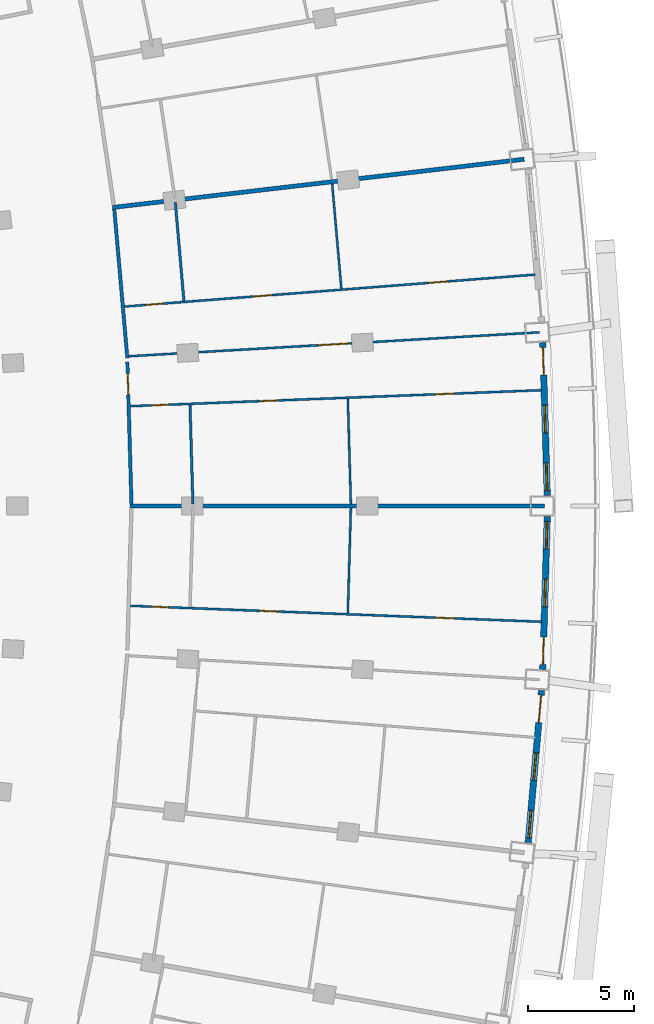
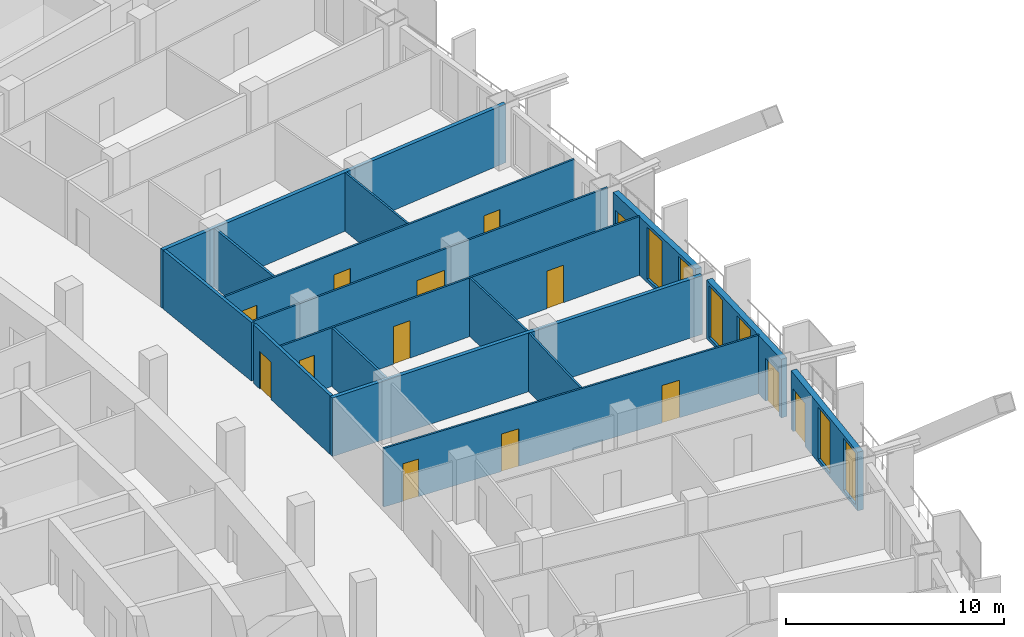
# One storey, part 18 of 25: 16 walls, 14 doors, 6 windows, 20 openings.
"""IFC4 building model written with IfcOpenShell, lengths in metres."""

from ifc_helpers import new_model, si_unit, direction, frame, frame_2d, origin, place, context, subcontext, project, spatial, rectangle, extrude, material, layer, layer_set, type_object, element, fill, save


model = new_model("IFC4")

# Units and contexts
model_context = context("Model", 3, precision=1e-05, world=origin(), true_north=direction((0.0, 1.0)))
body_context = subcontext(model_context, "Body", "Model", "MODEL_VIEW")
ifc_project = project(units=[si_unit("LENGTHUNIT", "METRE"), si_unit("AREAUNIT", "SQUARE_METRE"), si_unit("VOLUMEUNIT", "CUBIC_METRE"), si_unit("PLANEANGLEUNIT", "RADIAN"), si_unit("MASSUNIT", "GRAM", prefix="KILO")], contexts=[model_context])

# Site, building, storey
site_placement = place(None, origin())
site = spatial("IfcSite", under=ifc_project, at=site_placement, CompositionType="ELEMENT")
building_placement = place(site_placement, origin())
building = spatial("IfcBuilding", under=site, at=building_placement, Name="Alderwake Tower", CompositionType="ELEMENT")
storey_placement = place(building_placement, frame((0.0, 0.0, 114.800048828125)))
storey = spatial("IfcBuildingStorey", under=building, at=storey_placement, Name="L28", CompositionType="ELEMENT", Elevation=114.800048828125)

# Wall
ifc_material_1 = material(Name="Gypsum board on metal studs, rated")
ifc_layer_1 = layer(ifc_material_1, 0.159912109375)
ifc_layer_set_1 = layer_set([ifc_layer_1], Name="Corridor wall 160")
wall_type_1 = type_object("IfcWallType", Name="Corridor wall 160", PredefinedType="PARTITIONING", material=ifc_layer_set_1)
wall_1_placement = place(storey_placement, frame((41.001953125, 67.9873046875, 0.0), z_axis=(0.0, 0.0, 1.0), x_axis=(-0.087430787456, 0.996170596537, 0.0)))
element("IfcWall", 1, at=wall_1_placement, inside=storey, type_object=wall_type_1, Name="WL/L28/W40", PredefinedType="PARTITIONING", context=body_context, shape_type="SweptSolid", body=[
    extrude(rectangle(XDim=7.048095703125, YDim=0.159912109375, at=frame_2d((3.52392578125, 0.0))), origin(), (0.0, 0.0, 1.0), 3.280029296875),
])

# Wall, opening, door
wall_2_placement = place(storey_placement, frame((41.002685546875, 67.80029296875, 0.0), z_axis=(0.0, 0.0, 1.0), x_axis=(0.0288425569, -0.999583966914, 0.0)))
wall_2 = element("IfcWall", 2, at=wall_2_placement, inside=storey, type_object=wall_type_1, Name="WL/L28/W41", PredefinedType="PARTITIONING", context=body_context, shape_type="SweptSolid", body=[
    extrude(rectangle(XDim=6.703857421875, YDim=0.159912109375, at=frame_2d((3.35205078125, 0.0))), origin(), (0.0, 0.0, 1.0), 3.280029296875),
])
opening_1_placement = place(wall_2_placement, frame((0.54541015625, 0.0, 0.0)))
opening_1 = element("IfcOpeningElement", 3, at=opening_1_placement, cuts=wall_2, Name="Opening R08-U08.2", PredefinedType="OPENING", context=body_context, shape_type="SweptSolid", body=[
    extrude(rectangle(XDim=1.0, YDim=2.10009765625, at=frame_2d((0.5, 1.050048828125))), frame((0.0, 0.08984375, 0.0), z_axis=(0.0, -1.0, 0.0), x_axis=(1.0, 0.0, 0.0)), (0.0, 0.0, 1.0), 0.179931640625),
])
ifc_material_2 = material(Name="Solid timber leaf in steel frame", Category="steel")
door_type_1 = type_object("IfcDoorType", Name="Flat entrance door 1000 fire-rated", OperationType="SINGLE_SWING_LEFT", PredefinedType="DOOR", material=ifc_material_2)
door_1_placement = place(opening_1_placement, origin())
door_1 = element("IfcDoor", 4, at=door_1_placement, inside=storey, type_object=door_type_1, Name="DR/L28/U08.2", OperationType="SINGLE_SWING_LEFT", OverallHeight=2.10009765625, OverallWidth=1.0, PredefinedType="DOOR", context=body_context, shape_type="SweptSolid", body=[
    extrude(rectangle(XDim=1.0, YDim=2.10009765625, at=frame_2d((0.5, 1.050048828125))), frame((0.0, 0.02490234375, 0.0), z_axis=(0.0, -1.0, 0.0), x_axis=(1.0, 0.0, 0.0)), (0.0, 0.0, 1.0), 0.050048828125),
])
fill(opening_1, door_1)

# Wall, openings, door, windows
ifc_material_3 = material(Name="Precast concrete C50/60 spandrel panel", Category="concrete")
ifc_layer_2 = layer(ifc_material_3, 0.300048828125)
ifc_layer_set_2 = layer_set([ifc_layer_2], Name="External wall EW1 Precast concrete C50/60 spandrel")
wall_type_2 = type_object("IfcWallType", Name="External wall EW1 Precast concrete C50/60 spandrel", PredefinedType="SOLIDWALL", material=ifc_layer_set_2)
wall_3_placement = place(storey_placement, frame((59.93603515625, 45.101806640625, 0.0), z_axis=(0.0, 0.0, 1.0), x_axis=(0.087409071473, 0.996172502243, 0.0)))
wall_3 = element("IfcWall", 5, at=wall_3_placement, inside=storey, type_object=wall_type_2, Name="External wall 15", PredefinedType="SOLIDWALL", context=body_context, shape_type="SweptSolid", body=[
    extrude(rectangle(XDim=7.21728515625, YDim=0.300048828125, at=frame_2d((3.608642578125, 0.0))), origin(), (0.0, 0.0, 1.0), 3.280029296875),
])
opening_2_placement = place(wall_3_placement, frame((0.22509765625, 0.0, 0.199951171875)))
opening_2 = element("IfcOpeningElement", 6, at=opening_2_placement, cuts=wall_3, Name="Opening W1", PredefinedType="OPENING", context=body_context, shape_type="SweptSolid", body=[
    extrude(rectangle(XDim=1.300048828125, YDim=2.89990234375, at=frame_2d((0.64990234375, 1.449951171875))), frame((0.0, 0.159912109375, 0.0), z_axis=(0.0, -1.0, 0.0), x_axis=(1.0, 0.0, 0.0)), (0.0, 0.0, 1.0), 0.320068359375),
])
opening_3_placement = place(wall_3_placement, frame((2.958740234375, 0.0, 0.199951171875)))
opening_3 = element("IfcOpeningElement", 7, at=opening_3_placement, cuts=wall_3, Name="Opening W1", PredefinedType="OPENING", context=body_context, shape_type="SweptSolid", body=[
    extrude(rectangle(XDim=1.300048828125, YDim=2.89990234375, at=frame_2d((0.64990234375, 1.449951171875))), frame((0.0, 0.159912109375, 0.0), z_axis=(0.0, -1.0, 0.0), x_axis=(1.0, 0.0, 0.0)), (0.0, 0.0, 1.0), 0.320068359375),
])
opening_4_placement = place(wall_3_placement, frame((5.692138671875, 0.0, 0.0)))
opening_4 = element("IfcOpeningElement", 8, at=opening_4_placement, cuts=wall_3, Name="Opening D06", PredefinedType="OPENING", context=body_context, shape_type="SweptSolid", body=[
    extrude(rectangle(XDim=1.300048828125, YDim=2.39990234375, at=frame_2d((0.64990234375, 1.199951171875))), frame((0.0, 0.159912109375, 0.0), z_axis=(0.0, -1.0, 0.0), x_axis=(1.0, 0.0, 0.0)), (0.0, 0.0, 1.0), 0.320068359375),
])
ifc_material_4 = material(Name="Bronze tinted glass in aluminium frame", Category="aluminium")
door_type_2 = type_object("IfcDoorType", Name="Balcony door BD sliding", OperationType="SLIDING_TO_LEFT", PredefinedType="DOOR", material=ifc_material_4)
door_2_placement = place(opening_4_placement, origin())
door_2 = element("IfcDoor", 9, at=door_2_placement, inside=storey, type_object=door_type_2, Name="Door D06", OperationType="SLIDING_TO_LEFT", OverallHeight=2.39990234375, OverallWidth=1.300048828125, PredefinedType="DOOR", context=body_context, shape_type="SweptSolid", body=[
    extrude(rectangle(XDim=1.300048828125, YDim=2.39990234375, at=frame_2d((0.64990234375, 1.199951171875))), frame((0.0, 0.02490234375, 0.0), z_axis=(0.0, -1.0, 0.0), x_axis=(1.0, 0.0, 0.0)), (0.0, 0.0, 1.0), 0.050048828125),
])
fill(opening_4, door_2)
ifc_material_5 = material(Name="Bronze tinted glass in aluminium frame", Category="aluminium")
window_type = type_object("IfcWindowType", Name="Window W1 tall fixed and vent", PartitioningType="DOUBLE_PANEL_VERTICAL", PredefinedType="WINDOW", material=ifc_material_5)
window_1_placement = place(opening_2_placement, origin())
window_1 = element("IfcWindow", 10, at=window_1_placement, inside=storey, type_object=window_type, Name="Window W1 tall fixed and vent", OverallHeight=2.89990234375, OverallWidth=1.300048828125, PartitioningType="DOUBLE_PANEL_VERTICAL", PredefinedType="WINDOW", context=body_context, shape_type="SweptSolid", body=[
    extrude(rectangle(XDim=1.300048828125, YDim=2.89990234375, at=frame_2d((0.64990234375, 1.449951171875))), frame((0.0, 0.030029296875, 0.0), z_axis=(0.0, -1.0, 0.0), x_axis=(1.0, 0.0, 0.0)), (0.0, 0.0, 1.0), 0.06005859375),
])
fill(opening_2, window_1)
window_2_placement = place(opening_3_placement, origin())
window_2 = element("IfcWindow", 11, at=window_2_placement, inside=storey, type_object=window_type, Name="Window W1 tall fixed and vent", OverallHeight=2.89990234375, OverallWidth=1.300048828125, PartitioningType="DOUBLE_PANEL_VERTICAL", PredefinedType="WINDOW", context=body_context, shape_type="SweptSolid", body=[
    extrude(rectangle(XDim=1.300048828125, YDim=2.89990234375, at=frame_2d((0.64990234375, 1.449951171875))), frame((0.0, 0.030029296875, 0.0), z_axis=(0.0, -1.0, 0.0), x_axis=(1.0, 0.0, 0.0)), (0.0, 0.0, 1.0), 0.06005859375),
])
fill(opening_3, window_2)

wall_4_placement = place(storey_placement, frame((60.625, 53.287109375, 0.0), z_axis=(0.0, 0.0, 1.0), x_axis=(0.029158493341, 0.999574800736, 0.0)))
wall_4 = element("IfcWall", 12, at=wall_4_placement, inside=storey, type_object=wall_type_2, Name="External wall 16", PredefinedType="SOLIDWALL", context=body_context, shape_type="SweptSolid", body=[
    extrude(rectangle(XDim=7.217529296875, YDim=0.300048828125, at=frame_2d((3.60888671875, 0.0))), origin(), (0.0, 0.0, 1.0), 3.280029296875),
])
opening_5_placement = place(wall_4_placement, frame((0.22509765625, 0.0, 0.0)))
opening_5 = element("IfcOpeningElement", 13, at=opening_5_placement, cuts=wall_4, Name="Opening D07", PredefinedType="OPENING", context=body_context, shape_type="SweptSolid", body=[
    extrude(rectangle(XDim=1.300048828125, YDim=2.39990234375, at=frame_2d((0.64990234375, 1.199951171875))), frame((0.0, 0.159912109375, 0.0), z_axis=(0.0, -1.0, 0.0), x_axis=(1.0, 0.0, 0.0)), (0.0, 0.0, 1.0), 0.320068359375),
])
opening_6_placement = place(wall_4_placement, frame((2.958740234375, 0.0, 0.199951171875)))
opening_6 = element("IfcOpeningElement", 14, at=opening_6_placement, cuts=wall_4, Name="Opening W1", PredefinedType="OPENING", context=body_context, shape_type="SweptSolid", body=[
    extrude(rectangle(XDim=1.300048828125, YDim=2.89990234375, at=frame_2d((0.64990234375, 1.449951171875))), frame((0.0, 0.159912109375, 0.0), z_axis=(0.0, -1.0, 0.0), x_axis=(1.0, 0.0, 0.0)), (0.0, 0.0, 1.0), 0.320068359375),
])
opening_7_placement = place(wall_4_placement, frame((5.692138671875, 0.0, 0.199951171875)))
opening_7 = element("IfcOpeningElement", 15, at=opening_7_placement, cuts=wall_4, Name="Opening W1", PredefinedType="OPENING", context=body_context, shape_type="SweptSolid", body=[
    extrude(rectangle(XDim=1.300048828125, YDim=2.89990234375, at=frame_2d((0.64990234375, 1.449951171875))), frame((0.0, 0.159912109375, 0.0), z_axis=(0.0, -1.0, 0.0), x_axis=(1.0, 0.0, 0.0)), (0.0, 0.0, 1.0), 0.320068359375),
])
door_3_placement = place(opening_5_placement, origin())
door_3 = element("IfcDoor", 16, at=door_3_placement, inside=storey, type_object=door_type_2, Name="Door D07", OperationType="SLIDING_TO_LEFT", OverallHeight=2.39990234375, OverallWidth=1.300048828125, PredefinedType="DOOR", context=body_context, shape_type="SweptSolid", body=[
    extrude(rectangle(XDim=1.300048828125, YDim=2.39990234375, at=frame_2d((0.64990234375, 1.199951171875))), frame((0.0, 0.02490234375, 0.0), z_axis=(0.0, -1.0, 0.0), x_axis=(1.0, 0.0, 0.0)), (0.0, 0.0, 1.0), 0.050048828125),
])
fill(opening_5, door_3)
window_3_placement = place(opening_6_placement, origin())
window_3 = element("IfcWindow", 17, at=window_3_placement, inside=storey, type_object=window_type, Name="Window W1 tall fixed and vent", OverallHeight=2.89990234375, OverallWidth=1.300048828125, PartitioningType="DOUBLE_PANEL_VERTICAL", PredefinedType="WINDOW", context=body_context, shape_type="SweptSolid", body=[
    extrude(rectangle(XDim=1.300048828125, YDim=2.89990234375, at=frame_2d((0.64990234375, 1.449951171875))), frame((0.0, 0.030029296875, 0.0), z_axis=(0.0, -1.0, 0.0), x_axis=(1.0, 0.0, 0.0)), (0.0, 0.0, 1.0), 0.06005859375),
])
fill(opening_6, window_3)
window_4_placement = place(opening_7_placement, origin())
window_4 = element("IfcWindow", 18, at=window_4_placement, inside=storey, type_object=window_type, Name="Window W1 tall fixed and vent", OverallHeight=2.89990234375, OverallWidth=1.300048828125, PartitioningType="DOUBLE_PANEL_VERTICAL", PredefinedType="WINDOW", context=body_context, shape_type="SweptSolid", body=[
    extrude(rectangle(XDim=1.300048828125, YDim=2.89990234375, at=frame_2d((0.64990234375, 1.449951171875))), frame((0.0, 0.030029296875, 0.0), z_axis=(0.0, -1.0, 0.0), x_axis=(1.0, 0.0, 0.0)), (0.0, 0.0, 1.0), 0.06005859375),
])
fill(opening_7, window_4)

wall_5_placement = place(storey_placement, frame((60.83544921875, 61.49853515625, 0.0), z_axis=(0.0, 0.0, 1.0), x_axis=(-0.029158493341, 0.999574800736, 0.0)))
wall_5 = element("IfcWall", 19, at=wall_5_placement, inside=storey, type_object=wall_type_2, Name="External wall 17", PredefinedType="SOLIDWALL", context=body_context, shape_type="SweptSolid", body=[
    extrude(rectangle(XDim=7.217529296875, YDim=0.300048828125, at=frame_2d((3.60888671875, 0.0))), origin(), (0.0, 0.0, 1.0), 3.280029296875),
])
opening_8_placement = place(wall_5_placement, frame((0.22509765625, 0.0, 0.199951171875)))
opening_8 = element("IfcOpeningElement", 20, at=opening_8_placement, cuts=wall_5, Name="Opening W1", PredefinedType="OPENING", context=body_context, shape_type="SweptSolid", body=[
    extrude(rectangle(XDim=1.300048828125, YDim=2.89990234375, at=frame_2d((0.64990234375, 1.449951171875))), frame((0.0, 0.159912109375, 0.0), z_axis=(0.0, -1.0, 0.0), x_axis=(1.0, 0.0, 0.0)), (0.0, 0.0, 1.0), 0.320068359375),
])
opening_9_placement = place(wall_5_placement, frame((2.958740234375, 0.0, 0.199951171875)))
opening_9 = element("IfcOpeningElement", 21, at=opening_9_placement, cuts=wall_5, Name="Opening W1", PredefinedType="OPENING", context=body_context, shape_type="SweptSolid", body=[
    extrude(rectangle(XDim=1.300048828125, YDim=2.89990234375, at=frame_2d((0.64990234375, 1.449951171875))), frame((0.0, 0.159912109375, 0.0), z_axis=(0.0, -1.0, 0.0), x_axis=(1.0, 0.0, 0.0)), (0.0, 0.0, 1.0), 0.320068359375),
])
opening_10_placement = place(wall_5_placement, frame((5.692138671875, 0.0, 0.0)))
opening_10 = element("IfcOpeningElement", 22, at=opening_10_placement, cuts=wall_5, Name="Opening D08", PredefinedType="OPENING", context=body_context, shape_type="SweptSolid", body=[
    extrude(rectangle(XDim=1.300048828125, YDim=2.39990234375, at=frame_2d((0.64990234375, 1.199951171875))), frame((0.0, 0.159912109375, 0.0), z_axis=(0.0, -1.0, 0.0), x_axis=(1.0, 0.0, 0.0)), (0.0, 0.0, 1.0), 0.320068359375),
])
door_4_placement = place(opening_10_placement, origin())
door_4 = element("IfcDoor", 23, at=door_4_placement, inside=storey, type_object=door_type_2, Name="Door D08", OperationType="SLIDING_TO_LEFT", OverallHeight=2.39990234375, OverallWidth=1.300048828125, PredefinedType="DOOR", context=body_context, shape_type="SweptSolid", body=[
    extrude(rectangle(XDim=1.300048828125, YDim=2.39990234375, at=frame_2d((0.64990234375, 1.199951171875))), frame((0.0, 0.02490234375, 0.0), z_axis=(0.0, -1.0, 0.0), x_axis=(1.0, 0.0, 0.0)), (0.0, 0.0, 1.0), 0.050048828125),
])
fill(opening_10, door_4)
window_5_placement = place(opening_8_placement, origin())
window_5 = element("IfcWindow", 24, at=window_5_placement, inside=storey, type_object=window_type, Name="Window W1 tall fixed and vent", OverallHeight=2.89990234375, OverallWidth=1.300048828125, PartitioningType="DOUBLE_PANEL_VERTICAL", PredefinedType="WINDOW", context=body_context, shape_type="SweptSolid", body=[
    extrude(rectangle(XDim=1.300048828125, YDim=2.89990234375, at=frame_2d((0.64990234375, 1.449951171875))), frame((0.0, 0.030029296875, 0.0), z_axis=(0.0, -1.0, 0.0), x_axis=(1.0, 0.0, 0.0)), (0.0, 0.0, 1.0), 0.06005859375),
])
fill(opening_8, window_5)
window_6_placement = place(opening_9_placement, origin())
window_6 = element("IfcWindow", 25, at=window_6_placement, inside=storey, type_object=window_type, Name="Window W1 tall fixed and vent", OverallHeight=2.89990234375, OverallWidth=1.300048828125, PartitioningType="DOUBLE_PANEL_VERTICAL", PredefinedType="WINDOW", context=body_context, shape_type="SweptSolid", body=[
    extrude(rectangle(XDim=1.300048828125, YDim=2.89990234375, at=frame_2d((0.64990234375, 1.449951171875))), frame((0.0, 0.030029296875, 0.0), z_axis=(0.0, -1.0, 0.0), x_axis=(1.0, 0.0, 0.0)), (0.0, 0.0, 1.0), 0.06005859375),
])
fill(opening_9, window_6)

# Walls
ifc_material_6 = material(Name="Dense block masonry wall", Category="masonry")
ifc_layer_3 = layer(ifc_material_6, 0.199951171875)
ifc_layer_set_3 = layer_set([ifc_layer_3], Name="Party wall 200")
wall_type_3 = type_object("IfcWallType", Name="Party wall 200", PredefinedType="SOLIDWALL", material=ifc_layer_set_3)
wall_6_placement = place(storey_placement, frame((59.7451171875, 77.37890625, 0.0), z_axis=(0.0, 0.0, 1.0), x_axis=(-0.993195977177, -0.116454930851, 0.0)))
element("IfcWall", 26, at=wall_6_placement, inside=storey, type_object=wall_type_3, Name="WL/L28/W12", PredefinedType="SOLIDWALL", context=body_context, shape_type="SweptSolid", body=[
    extrude(rectangle(XDim=19.580810546875, YDim=0.199951171875, at=frame_2d((9.79052734375, 0.0))), origin(), (0.0, 0.0, 1.0), 3.280029296875),
])
wall_7_placement = place(storey_placement, frame((60.698974609375, 60.9990234375, 0.0), z_axis=(0.0, 0.0, 1.0), x_axis=(-1.0, 0.0, 0.0)))
element("IfcWall", 27, at=wall_7_placement, inside=storey, type_object=wall_type_3, Name="WL/L28/W13", PredefinedType="SOLIDWALL", context=body_context, shape_type="SweptSolid", body=[
    extrude(rectangle(XDim=19.580078125, YDim=0.199951171875, at=frame_2d((9.7900390625, 0.0))), origin(), (0.0, 0.0, 1.0), 3.280029296875),
])

# Wall, openings, doors
ifc_material_7 = material(Name="Gypsum board on metal studs")
ifc_layer_4 = layer(ifc_material_7, 0.10009765625)
ifc_layer_set_4 = layer_set([ifc_layer_4], Name="Unit partition 100")
wall_type_4 = type_object("IfcWallType", Name="Unit partition 100", PredefinedType="PARTITIONING", material=ifc_layer_set_4)
wall_8_placement = place(storey_placement, frame((40.867919921875, 70.419189453125, 0.0), z_axis=(0.0, 0.0, 1.0), x_axis=(0.99697836053, 0.077679782668, 0.0)))
wall_8 = element("IfcWall", 28, at=wall_8_placement, inside=storey, type_object=wall_type_4, Name="WL/L28/W70", PredefinedType="PARTITIONING", context=body_context, shape_type="SweptSolid", body=[
    extrude(rectangle(XDim=19.4609375, YDim=0.10009765625, at=frame_2d((9.73046875, 0.0))), origin(), (0.0, 0.0, 1.0), 3.280029296875),
])
opening_11_placement = place(wall_8_placement, frame((6.098388671875, 0.0, 0.0)))
opening_11 = element("IfcOpeningElement", 29, at=opening_11_placement, cuts=wall_8, Name="Opening R08-U08.5", PredefinedType="OPENING", context=body_context, shape_type="SweptSolid", body=[
    extrude(rectangle(XDim=0.89990234375, YDim=2.10009765625, at=frame_2d((0.449951171875, 1.050048828125))), frame((0.0, 0.06005859375, 0.0), z_axis=(0.0, -1.0, 0.0), x_axis=(1.0, 0.0, 0.0)), (0.0, 0.0, 1.0), 0.1201171875),
])
opening_12_placement = place(wall_8_placement, frame((1.009521484375, 0.0, 0.0)))
opening_12 = element("IfcOpeningElement", 30, at=opening_12_placement, cuts=wall_8, Name="Opening R08-U08.6", PredefinedType="OPENING", context=body_context, shape_type="SweptSolid", body=[
    extrude(rectangle(XDim=0.800048828125, YDim=2.10009765625, at=frame_2d((0.39990234375, 1.050048828125))), frame((0.0, 0.06005859375, 0.0), z_axis=(0.0, -1.0, 0.0), x_axis=(1.0, 0.0, 0.0)), (0.0, 0.0, 1.0), 0.1201171875),
])
opening_13_placement = place(wall_8_placement, frame((14.41943359375, 0.0, 0.0)))
opening_13 = element("IfcOpeningElement", 31, at=opening_13_placement, cuts=wall_8, Name="Opening R08-U08.7", PredefinedType="OPENING", context=body_context, shape_type="SweptSolid", body=[
    extrude(rectangle(XDim=0.89990234375, YDim=2.10009765625, at=frame_2d((0.449951171875, 1.050048828125))), frame((0.0, 0.06005859375, 0.0), z_axis=(0.0, -1.0, 0.0), x_axis=(1.0, 0.0, 0.0)), (0.0, 0.0, 1.0), 0.1201171875),
])
ifc_material_8 = material(Name="Painted timber leaf", Category="wood")
door_type_3 = type_object("IfcDoorType", Name="Bathroom door 800", OperationType="SINGLE_SWING_LEFT", PredefinedType="DOOR", material=ifc_material_8)
door_5_placement = place(opening_12_placement, origin())
door_5 = element("IfcDoor", 32, at=door_5_placement, inside=storey, type_object=door_type_3, Name="DR/L28/U08.6", OperationType="SINGLE_SWING_LEFT", OverallHeight=2.10009765625, OverallWidth=0.800048828125, PredefinedType="DOOR", context=body_context, shape_type="SweptSolid", body=[
    extrude(rectangle(XDim=0.800048828125, YDim=2.10009765625, at=frame_2d((0.39990234375, 1.050048828125))), frame((0.0, 0.02490234375, 0.0), z_axis=(0.0, -1.0, 0.0), x_axis=(1.0, 0.0, 0.0)), (0.0, 0.0, 1.0), 0.050048828125),
])
fill(opening_12, door_5)
ifc_material_9 = material(Name="Painted timber leaf", Category="wood")
door_type_4 = type_object("IfcDoorType", Name="Room door 900", OperationType="SINGLE_SWING_LEFT", PredefinedType="DOOR", material=ifc_material_9)
door_6_placement = place(opening_11_placement, origin())
door_6 = element("IfcDoor", 33, at=door_6_placement, inside=storey, type_object=door_type_4, Name="DR/L28/U08.5", OperationType="SINGLE_SWING_LEFT", OverallHeight=2.10009765625, OverallWidth=0.89990234375, PredefinedType="DOOR", context=body_context, shape_type="SweptSolid", body=[
    extrude(rectangle(XDim=0.89990234375, YDim=2.10009765625, at=frame_2d((0.449951171875, 1.050048828125))), frame((0.0, 0.02490234375, 0.0), z_axis=(0.0, -1.0, 0.0), x_axis=(1.0, 0.0, 0.0)), (0.0, 0.0, 1.0), 0.050048828125),
])
fill(opening_11, door_6)
door_7_placement = place(opening_13_placement, origin())
door_7 = element("IfcDoor", 34, at=door_7_placement, inside=storey, type_object=door_type_4, Name="DR/L28/U08.7", OperationType="SINGLE_SWING_LEFT", OverallHeight=2.10009765625, OverallWidth=0.89990234375, PredefinedType="DOOR", context=body_context, shape_type="SweptSolid", body=[
    extrude(rectangle(XDim=0.89990234375, YDim=2.10009765625, at=frame_2d((0.449951171875, 1.050048828125))), frame((0.0, 0.02490234375, 0.0), z_axis=(0.0, -1.0, 0.0), x_axis=(1.0, 0.0, 0.0)), (0.0, 0.0, 1.0), 0.050048828125),
])
fill(opening_13, door_7)

wall_9_placement = place(storey_placement, frame((41.143798828125, 56.285888671875, 0.0), z_axis=(0.0, 0.0, 1.0), x_axis=(0.999245527857, -0.038837804487, 0.0)))
wall_9 = element("IfcWall", 35, at=wall_9_placement, inside=storey, type_object=wall_type_4, Name="WL/L28/W72", PredefinedType="PARTITIONING", context=body_context, shape_type="SweptSolid", body=[
    extrude(rectangle(XDim=19.4619140625, YDim=0.10009765625, at=frame_2d((9.73095703125, 0.0))), origin(), (0.0, 0.0, 1.0), 3.280029296875),
])
opening_14_placement = place(wall_9_placement, frame((6.096923828125, 0.0, 0.0)))
opening_14 = element("IfcOpeningElement", 36, at=opening_14_placement, cuts=wall_9, Name="Opening R08-U07.6", PredefinedType="OPENING", context=body_context, shape_type="SweptSolid", body=[
    extrude(rectangle(XDim=0.89990234375, YDim=2.10009765625, at=frame_2d((0.449951171875, 1.050048828125))), frame((0.0, 0.06005859375, 0.0), z_axis=(0.0, -1.0, 0.0), x_axis=(1.0, 0.0, 0.0)), (0.0, 0.0, 1.0), 0.1201171875),
])
opening_15_placement = place(wall_9_placement, frame((1.0087890625, 0.0, 0.0)))
opening_15 = element("IfcOpeningElement", 37, at=opening_15_placement, cuts=wall_9, Name="Opening R08-U07.7", PredefinedType="OPENING", context=body_context, shape_type="SweptSolid", body=[
    extrude(rectangle(XDim=0.800048828125, YDim=2.10009765625, at=frame_2d((0.39990234375, 1.050048828125))), frame((0.0, 0.06005859375, 0.0), z_axis=(0.0, -1.0, 0.0), x_axis=(1.0, 0.0, 0.0)), (0.0, 0.0, 1.0), 0.1201171875),
])
opening_16_placement = place(wall_9_placement, frame((14.418701171875, 0.0, 0.0)))
opening_16 = element("IfcOpeningElement", 38, at=opening_16_placement, cuts=wall_9, Name="Opening R08-U07.8", PredefinedType="OPENING", context=body_context, shape_type="SweptSolid", body=[
    extrude(rectangle(XDim=0.89990234375, YDim=2.10009765625, at=frame_2d((0.449951171875, 1.050048828125))), frame((0.0, 0.06005859375, 0.0), z_axis=(0.0, -1.0, 0.0), x_axis=(1.0, 0.0, 0.0)), (0.0, 0.0, 1.0), 0.1201171875),
])
door_8_placement = place(opening_15_placement, origin())
door_8 = element("IfcDoor", 39, at=door_8_placement, inside=storey, type_object=door_type_3, Name="DR/L28/U07.7", OperationType="SINGLE_SWING_LEFT", OverallHeight=2.10009765625, OverallWidth=0.800048828125, PredefinedType="DOOR", context=body_context, shape_type="SweptSolid", body=[
    extrude(rectangle(XDim=0.800048828125, YDim=2.10009765625, at=frame_2d((0.39990234375, 1.050048828125))), frame((0.0, 0.02490234375, 0.0), z_axis=(0.0, -1.0, 0.0), x_axis=(1.0, 0.0, 0.0)), (0.0, 0.0, 1.0), 0.050048828125),
])
fill(opening_15, door_8)
door_9_placement = place(opening_14_placement, origin())
door_9 = element("IfcDoor", 40, at=door_9_placement, inside=storey, type_object=door_type_4, Name="DR/L28/U07.6", OperationType="SINGLE_SWING_LEFT", OverallHeight=2.10009765625, OverallWidth=0.89990234375, PredefinedType="DOOR", context=body_context, shape_type="SweptSolid", body=[
    extrude(rectangle(XDim=0.89990234375, YDim=2.10009765625, at=frame_2d((0.449951171875, 1.050048828125))), frame((0.0, 0.02490234375, 0.0), z_axis=(0.0, -1.0, 0.0), x_axis=(1.0, 0.0, 0.0)), (0.0, 0.0, 1.0), 0.050048828125),
])
fill(opening_14, door_9)
door_10_placement = place(opening_16_placement, origin())
door_10 = element("IfcDoor", 41, at=door_10_placement, inside=storey, type_object=door_type_4, Name="DR/L28/U07.8", OperationType="SINGLE_SWING_LEFT", OverallHeight=2.10009765625, OverallWidth=0.89990234375, PredefinedType="DOOR", context=body_context, shape_type="SweptSolid", body=[
    extrude(rectangle(XDim=0.89990234375, YDim=2.10009765625, at=frame_2d((0.449951171875, 1.050048828125))), frame((0.0, 0.02490234375, 0.0), z_axis=(0.0, -1.0, 0.0), x_axis=(1.0, 0.0, 0.0)), (0.0, 0.0, 1.0), 0.050048828125),
])
fill(opening_16, door_10)

wall_10_placement = place(storey_placement, frame((60.591064453125, 66.470947265625, 0.0), z_axis=(0.0, 0.0, 1.0), x_axis=(-0.999245527857, -0.038837804487, 0.0)))
wall_10 = element("IfcWall", 42, at=wall_10_placement, inside=storey, type_object=wall_type_4, Name="WL/L28/W73", PredefinedType="PARTITIONING", context=body_context, shape_type="SweptSolid", body=[
    extrude(rectangle(XDim=19.4619140625, YDim=0.10009765625, at=frame_2d((9.73095703125, 0.0))), origin(), (0.0, 0.0, 1.0), 3.280029296875),
])
opening_17_placement = place(wall_10_placement, frame((12.46484375, 0.0, 0.0)))
opening_17 = element("IfcOpeningElement", 43, at=opening_17_placement, cuts=wall_10, Name="Opening R08-U08.1", PredefinedType="OPENING", context=body_context, shape_type="SweptSolid", body=[
    extrude(rectangle(XDim=0.89990234375, YDim=2.10009765625, at=frame_2d((0.449951171875, 1.050048828125))), frame((0.0, 0.06005859375, 0.0), z_axis=(0.0, -1.0, 0.0), x_axis=(1.0, 0.0, 0.0)), (0.0, 0.0, 1.0), 0.1201171875),
])
opening_18_placement = place(wall_10_placement, frame((17.653076171875, 0.0, 0.0)))
opening_18 = element("IfcOpeningElement", 44, at=opening_18_placement, cuts=wall_10, Name="Opening R08-U08.3", PredefinedType="OPENING", context=body_context, shape_type="SweptSolid", body=[
    extrude(rectangle(XDim=0.800048828125, YDim=2.10009765625, at=frame_2d((0.39990234375, 1.050048828125))), frame((0.0, 0.06005859375, 0.0), z_axis=(0.0, -1.0, 0.0), x_axis=(1.0, 0.0, 0.0)), (0.0, 0.0, 1.0), 0.1201171875),
])
opening_19_placement = place(wall_10_placement, frame((4.14306640625, 0.0, 0.0)))
opening_19 = element("IfcOpeningElement", 45, at=opening_19_placement, cuts=wall_10, Name="Opening R08-U08.4", PredefinedType="OPENING", context=body_context, shape_type="SweptSolid", body=[
    extrude(rectangle(XDim=0.89990234375, YDim=2.10009765625, at=frame_2d((0.449951171875, 1.050048828125))), frame((0.0, 0.06005859375, 0.0), z_axis=(0.0, -1.0, 0.0), x_axis=(1.0, 0.0, 0.0)), (0.0, 0.0, 1.0), 0.1201171875),
])
door_11_placement = place(opening_18_placement, origin())
door_11 = element("IfcDoor", 46, at=door_11_placement, inside=storey, type_object=door_type_3, Name="DR/L28/U08.3", OperationType="SINGLE_SWING_LEFT", OverallHeight=2.10009765625, OverallWidth=0.800048828125, PredefinedType="DOOR", context=body_context, shape_type="SweptSolid", body=[
    extrude(rectangle(XDim=0.800048828125, YDim=2.10009765625, at=frame_2d((0.39990234375, 1.050048828125))), frame((0.0, 0.02490234375, 0.0), z_axis=(0.0, -1.0, 0.0), x_axis=(1.0, 0.0, 0.0)), (0.0, 0.0, 1.0), 0.050048828125),
])
fill(opening_18, door_11)
door_12_placement = place(opening_17_placement, origin())
door_12 = element("IfcDoor", 47, at=door_12_placement, inside=storey, type_object=door_type_4, Name="DR/L28/U08.1", OperationType="SINGLE_SWING_LEFT", OverallHeight=2.10009765625, OverallWidth=0.89990234375, PredefinedType="DOOR", context=body_context, shape_type="SweptSolid", body=[
    extrude(rectangle(XDim=0.89990234375, YDim=2.10009765625, at=frame_2d((0.449951171875, 1.050048828125))), frame((0.0, 0.02490234375, 0.0), z_axis=(0.0, -1.0, 0.0), x_axis=(1.0, 0.0, 0.0)), (0.0, 0.0, 1.0), 0.050048828125),
])
fill(opening_17, door_12)
door_13_placement = place(opening_19_placement, origin())
door_13 = element("IfcDoor", 48, at=door_13_placement, inside=storey, type_object=door_type_4, Name="DR/L28/U08.4", OperationType="SINGLE_SWING_LEFT", OverallHeight=2.10009765625, OverallWidth=0.89990234375, PredefinedType="DOOR", context=body_context, shape_type="SweptSolid", body=[
    extrude(rectangle(XDim=0.89990234375, YDim=2.10009765625, at=frame_2d((0.449951171875, 1.050048828125))), frame((0.0, 0.02490234375, 0.0), z_axis=(0.0, -1.0, 0.0), x_axis=(1.0, 0.0, 0.0)), (0.0, 0.0, 1.0), 0.050048828125),
])
fill(opening_19, door_13)

# Walls
wall_11_placement = place(storey_placement, frame((51.109619140625, 71.266845703125, 0.0), z_axis=(0.0, 0.0, 1.0), x_axis=(-0.087352937881, 0.996177426086, 0.0)))
element("IfcWall", 49, at=wall_11_placement, inside=storey, type_object=wall_type_4, Name="WL/L28/W83", PredefinedType="PARTITIONING", context=body_context, shape_type="SweptSolid", body=[
    extrude(rectangle(XDim=4.966552734375, YDim=0.10009765625, at=frame_2d((2.4833984375, 0.0))), origin(), (0.0, 0.0, 1.0), 3.280029296875),
])
wall_12_placement = place(storey_placement, frame((51.415283203125, 55.93701171875, 0.0), z_axis=(0.0, 0.0, 1.0), x_axis=(0.028771787727, 0.99958600642, 0.0)))
element("IfcWall", 50, at=wall_12_placement, inside=storey, type_object=wall_type_4, Name="WL/L28/W84", PredefinedType="PARTITIONING", context=body_context, shape_type="SweptSolid", body=[
    extrude(rectangle(XDim=4.9638671875, YDim=0.10009765625, at=frame_2d((2.48193359375, 0.0))), origin(), (0.0, 0.0, 1.0), 3.280029296875),
])
wall_13_placement = place(storey_placement, frame((51.55810546875, 61.09912109375, 0.0), z_axis=(0.0, 0.0, 1.0), x_axis=(-0.028754823924, 0.999586494557, 0.0)))
element("IfcWall", 51, at=wall_13_placement, inside=storey, type_object=wall_type_4, Name="WL/L28/W85", PredefinedType="PARTITIONING", context=body_context, shape_type="SweptSolid", body=[
    extrude(rectangle(XDim=4.966796875, YDim=0.10009765625, at=frame_2d((2.4833984375, 0.0))), origin(), (0.0, 0.0, 1.0), 3.280029296875),
])

# Wall, opening, door
wall_14_placement = place(storey_placement, frame((41.074951171875, 68.07177734375, 0.0), z_axis=(0.0, 0.0, 1.0), x_axis=(0.998298693209, 0.058307110518, 0.0)))
wall_14 = element("IfcWall", 52, at=wall_14_placement, inside=storey, type_object=wall_type_4, Name="WL/L28/W88", PredefinedType="PARTITIONING", context=body_context, shape_type="SweptSolid", body=[
    extrude(rectangle(XDim=19.419921875, YDim=0.10009765625, at=frame_2d((9.7099609375, 0.0))), origin(), (0.0, 0.0, 1.0), 3.280029296875),
])
opening_20_placement = place(wall_14_placement, frame((8.95947265625, 0.0, 0.0)))
opening_20 = element("IfcOpeningElement", 53, at=opening_20_placement, cuts=wall_14, Name="Opening R08-U08.8", PredefinedType="OPENING", context=body_context, shape_type="SweptSolid", body=[
    extrude(rectangle(XDim=1.5, YDim=2.10009765625, at=frame_2d((0.75, 1.050048828125))), frame((0.0, 0.06005859375, 0.0), z_axis=(0.0, -1.0, 0.0), x_axis=(1.0, 0.0, 0.0)), (0.0, 0.0, 1.0), 0.1201171875),
])
ifc_material_10 = material(Name="Painted timber leaves", Category="wood")
door_type_5 = type_object("IfcDoorType", Name="Double leaf door 1500", OperationType="DOUBLE_DOOR_SINGLE_SWING", PredefinedType="DOOR", material=ifc_material_10)
door_14_placement = place(opening_20_placement, origin())
door_14 = element("IfcDoor", 54, at=door_14_placement, inside=storey, type_object=door_type_5, Name="DR/L28/U08.8", OperationType="DOUBLE_DOOR_SINGLE_SWING", OverallHeight=2.10009765625, OverallWidth=1.5, PredefinedType="DOOR", context=body_context, shape_type="SweptSolid", body=[
    extrude(rectangle(XDim=1.5, YDim=2.10009765625, at=frame_2d((0.75, 1.050048828125))), frame((0.0, 0.02490234375, 0.0), z_axis=(0.0, -1.0, 0.0), x_axis=(1.0, 0.0, 0.0)), (0.0, 0.0, 1.0), 0.050048828125),
])
fill(opening_20, door_14)

# Walls
ifc_material_11 = material(Name="Moisture resistant gypsum board on metal studs")
ifc_layer_5 = layer(ifc_material_11, 0.1201171875)
ifc_layer_set_5 = layer_set([ifc_layer_5], Name="Wet room partition 120")
wall_type_5 = type_object("IfcWallType", Name="Wet room partition 120", PredefinedType="PARTITIONING", material=ifc_layer_set_5)
wall_15_placement = place(storey_placement, frame((43.672607421875, 70.687744140625, 0.0), z_axis=(0.0, 0.0, 1.0), x_axis=(-0.087010256841, 0.996207415755, 0.0)))
element("IfcWall", 55, at=wall_15_placement, inside=storey, type_object=wall_type_5, Name="WL/L28/W58", PredefinedType="PARTITIONING", context=body_context, shape_type="SweptSolid", body=[
    extrude(rectangle(XDim=4.677490234375, YDim=0.1201171875, at=frame_2d((2.3388671875, 0.0))), origin(), (0.0, 0.0, 1.0), 3.280029296875),
])
wall_16_placement = place(storey_placement, frame((44.09716796875, 61.09912109375, 0.0), z_axis=(0.0, 0.0, 1.0), x_axis=(-0.029239477833, 0.999572435062, 0.0)))
element("IfcWall", 56, at=wall_16_placement, inside=storey, type_object=wall_type_5, Name="WL/L28/W62", PredefinedType="PARTITIONING", context=body_context, shape_type="SweptSolid", body=[
    extrude(rectangle(XDim=4.67578125, YDim=0.1201171875, at=frame_2d((2.337890625, 0.0))), origin(), (0.0, 0.0, 1.0), 3.280029296875),
])

save(model, "model.ifc")
